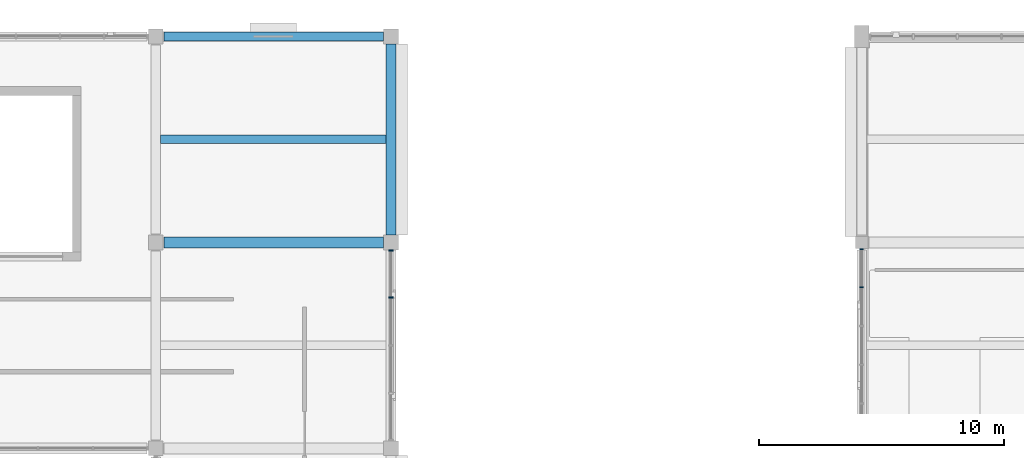
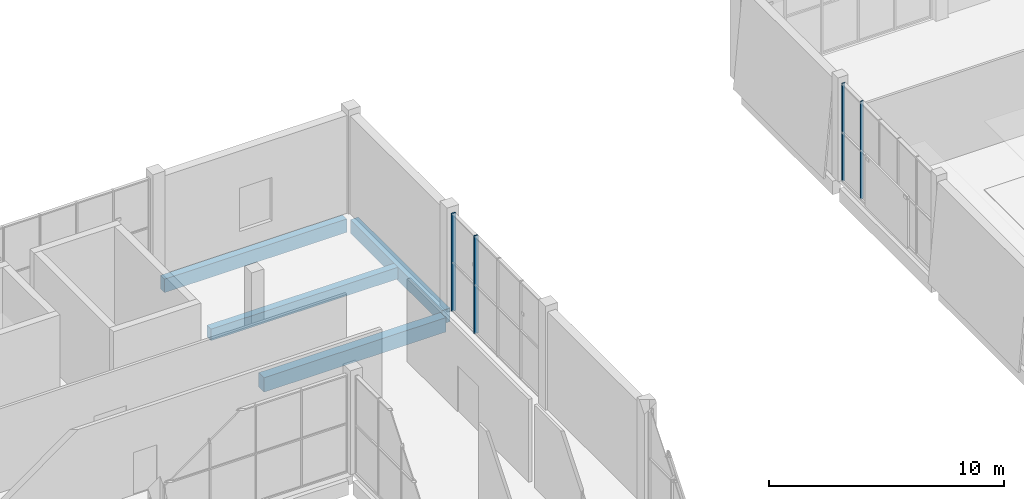
# One storey, part 29 of 83: 4 beams, 4 members, 2 elements without a shape of their own.
"""IFC4 building model written with IfcOpenShell, lengths in metres."""

from ifc_helpers import new_model, si_unit, direction, frame, origin, origin_2d, place, context, subcontext, project, spatial, rectangle, extrude, material, material_profile, profile_set, type_object, element, aggregate, save


model = new_model("IFC4")

# Units and contexts
model_context = context("Model", 3, precision=1e-05, world=origin(), true_north=direction((0.0, 1.0)))
body_context = subcontext(model_context, "Body", "Model", "MODEL_VIEW")
ifc_project = project(units=[si_unit("LENGTHUNIT", "METRE"), si_unit("AREAUNIT", "SQUARE_METRE"), si_unit("VOLUMEUNIT", "CUBIC_METRE"), si_unit("PLANEANGLEUNIT", "RADIAN"), si_unit("MASSUNIT", "GRAM", prefix="KILO")], contexts=[model_context])

# Site, building, storey
site_placement = place(None, origin())
site = spatial("IfcSite", under=ifc_project, at=site_placement, CompositionType="ELEMENT")
building_placement = place(site_placement, origin())
building = spatial("IfcBuilding", under=site, at=building_placement, Name="Shalvenor Court Art Gallery", CompositionType="ELEMENT")
storey_placement = place(building_placement, frame((0.0, 0.0, 6.0)))
storey = spatial("IfcBuildingStorey", under=building, at=storey_placement, Name="L01", CompositionType="ELEMENT", Elevation=6.0)

# Beams
ifc_material_1 = material(Name="Concrete C40/50", Category="concrete")
ifc_material_profile_1 = material_profile(ifc_material_1, rectangle(XDim=0.449951171875, YDim=0.75, at=origin_2d()), Name="RC 450x750")
ifc_profile_set_1 = profile_set([ifc_material_profile_1], Name="Concrete C40/50")
beam_type_1 = type_object("IfcBeamType", Name="B-04", PredefinedType="BEAM", material=ifc_profile_set_1)
beam_1_placement = place(storey_placement, frame((29.14990234375, 114.0, -0.695068359375), z_axis=(1.0, 0.0, 0.0), x_axis=(0.0, 1.0, 0.0)))
element("IfcBeam", 1, at=beam_1_placement, inside=storey, type_object=beam_type_1, Name="L01 Girder BM-L01-B-04-0605", PredefinedType="BEAM", context=body_context, shape_type="SweptSolid", body=[
    extrude(rectangle(XDim=0.449951171875, YDim=0.75, at=origin_2d()), origin(), (0.0, 0.0, 1.0), 8.9501953125),
])
ifc_material_2 = material(Name="Concrete C40/50", Category="concrete")
ifc_material_profile_2 = material_profile(ifc_material_2, rectangle(XDim=0.39990234375, YDim=0.699951171875, at=origin_2d()), Name="RC 400x700")
ifc_profile_set_2 = profile_set([ifc_material_profile_2], Name="Concrete C40/50")
beam_type_2 = type_object("IfcBeamType", Name="B-05", PredefinedType="BEAM", material=ifc_profile_set_2)
beam_2_placement = place(storey_placement, frame((38.39990234375, 114.300048828125, -0.669921875), z_axis=(0.0, 1.0, 0.0), x_axis=(-1.0, 0.0, 0.0)))
element("IfcBeam", 2, at=beam_2_placement, inside=storey, type_object=beam_type_2, Name="L01 Girder BM-L01-B-05-0396", PredefinedType="BEAM", context=body_context, shape_type="SweptSolid", body=[
    extrude(rectangle(XDim=0.39990234375, YDim=0.699951171875, at=origin_2d()), origin(), (0.0, 0.0, 1.0), 7.800048828125),
])

# Curtain wall, members
ifc_material_3 = material(Name="Anodised aluminium and low-iron glass curtain wall", Category="aluminium")
curtain_wall_type_1 = type_object("IfcCurtainWallType", Name="CW-4x2-78-51-221", PredefinedType="USERDEFINED", material=ifc_material_3)
curtain_wall_1_placement = place(storey_placement, origin())
curtain_wall_1 = element("IfcCurtainWall", 3, at=curtain_wall_1_placement, inside=storey, type_object=curtain_wall_type_1, Name="L01 V5 Curtain Wall CW-L01-169", ObjectType="CURTAIN WALL", PredefinedType="USERDEFINED")
ifc_material_4 = material(Name="Anodised aluminium mullion", Category="aluminium")
ifc_material_profile_3 = material_profile(ifc_material_4, rectangle(XDim=0.070068359375, YDim=0.199951171875, at=origin_2d()), Name="CWM-02")
ifc_profile_set_3 = profile_set([ifc_material_profile_3], Name="Anodised aluminium mullion")
member_type_1 = type_object("IfcMemberType", Name="CWM-02", PredefinedType="MULLION", material=ifc_profile_set_3)
member_1_placement = place(storey_placement, frame((38.39990234375, 113.6650390625, 0.0), z_axis=(0.0, 0.0, 1.0), x_axis=(0.0, -1.0, 0.0)))
member_1 = element("IfcMember", 4, at=member_1_placement, type_object=member_type_1, Name="CW-4x2-78-51-221 mullion 1", PredefinedType="MULLION", context=body_context, shape_type="SweptSolid", body=[
    extrude(rectangle(XDim=0.070068359375, YDim=0.199951171875, at=origin_2d()), origin(), (0.0, 0.0, 1.0), 5.080078125),
])
member_2_placement = place(storey_placement, frame((38.39990234375, 111.75, 0.0), z_axis=(0.0, 0.0, 1.0), x_axis=(0.0, -1.0, 0.0)))
member_2 = element("IfcMember", 5, at=member_2_placement, type_object=member_type_1, Name="CW-4x2-78-51-221 mullion 2", PredefinedType="MULLION", context=body_context, shape_type="SweptSolid", body=[
    extrude(rectangle(XDim=0.070068359375, YDim=0.199951171875, at=origin_2d()), origin(), (0.0, 0.0, 1.0), 5.080078125),
])
aggregate(curtain_wall_1, [member_1, member_2])

ifc_material_5 = material(Name="Anodised aluminium and low-iron glass curtain wall", Category="aluminium")
curtain_wall_type_2 = type_object("IfcCurtainWallType", Name="CW-5x2-79-51-642", PredefinedType="USERDEFINED", material=ifc_material_5)
curtain_wall_2_placement = place(storey_placement, origin())
curtain_wall_2 = element("IfcCurtainWall", 6, at=curtain_wall_2_placement, inside=storey, type_object=curtain_wall_type_2, Name="L01 V2 Curtain Wall CW-L01-071", ObjectType="CURTAIN WALL", PredefinedType="USERDEFINED")
ifc_material_6 = material(Name="Anodised aluminium mullion", Category="aluminium")
ifc_material_profile_4 = material_profile(ifc_material_6, rectangle(XDim=0.054931640625, YDim=0.139892578125, at=origin_2d()), Name="CWM-06")
ifc_profile_set_4 = profile_set([ifc_material_profile_4], Name="Anodised aluminium mullion")
member_type_2 = type_object("IfcMemberType", Name="CWM-06", PredefinedType="MULLION", material=ifc_profile_set_4)
member_3_placement = place(storey_placement, frame((57.60009765625, 112.169921875, 0.0), z_axis=(0.0, 0.0, 1.0), x_axis=(0.0, 1.0, 0.0)))
member_3 = element("IfcMember", 7, at=member_3_placement, type_object=member_type_2, Name="CW-5x2-79-51-642 mullion 5", PredefinedType="MULLION", context=body_context, shape_type="SweptSolid", body=[
    extrude(rectangle(XDim=0.054931640625, YDim=0.139892578125, at=origin_2d()), origin(), (0.0, 0.0, 1.0), 5.080078125),
])
member_4_placement = place(storey_placement, frame((57.60009765625, 113.722412109375, 0.0), z_axis=(0.0, 0.0, 1.0), x_axis=(0.0, 1.0, 0.0)))
member_4 = element("IfcMember", 8, at=member_4_placement, type_object=member_type_2, Name="CW-5x2-79-51-642 mullion 6", PredefinedType="MULLION", context=body_context, shape_type="SweptSolid", body=[
    extrude(rectangle(XDim=0.054931640625, YDim=0.139892578125, at=origin_2d()), origin(), (0.0, 0.0, 1.0), 5.080078125),
])
aggregate(curtain_wall_2, [member_3, member_4])

# Beams
ifc_material_7 = material(Name="Concrete C40/50", Category="concrete")
ifc_material_profile_5 = material_profile(ifc_material_7, rectangle(XDim=0.35009765625, YDim=0.60009765625, at=origin_2d()), Name="RC 350x600")
ifc_profile_set_5 = profile_set([ifc_material_profile_5], Name="Concrete C40/50")
beam_type_3 = type_object("IfcBeamType", Name="J-01", PredefinedType="JOIST", material=ifc_profile_set_5)
beam_3_placement = place(storey_placement, frame((29.0, 118.199951171875, -0.6201171875), z_axis=(1.0, 0.0, 0.0), x_axis=(0.0, 1.0, 0.0)))
element("IfcBeam", 9, at=beam_3_placement, inside=storey, type_object=beam_type_3, Name="L01 Secondary Beam JST-L01-J-01-0641", PredefinedType="JOIST", context=body_context, shape_type="SweptSolid", body=[
    extrude(rectangle(XDim=0.35009765625, YDim=0.60009765625, at=origin_2d()), origin(), (0.0, 0.0, 1.0), 9.199951171875),
])
ifc_material_8 = material(Name="Concrete C40/50", Category="concrete")
ifc_material_profile_6 = material_profile(ifc_material_8, rectangle(XDim=0.35009765625, YDim=0.699951171875, at=origin_2d()), Name="RC 350x700")
ifc_profile_set_6 = profile_set([ifc_material_profile_6], Name="Concrete C40/50")
beam_type_4 = type_object("IfcBeamType", Name="SP-01", PredefinedType="SPANDREL", material=ifc_profile_set_6)
beam_4_placement = place(storey_placement, frame((29.14990234375, 122.39990234375, -0.669921875), z_axis=(1.0, 0.0, 0.0), x_axis=(0.0, 1.0, 0.0)))
element("IfcBeam", 10, at=beam_4_placement, inside=storey, type_object=beam_type_4, Name="L01 Spandrel Girder BM-L01-SP-01-0616", PredefinedType="SPANDREL", context=body_context, shape_type="SweptSolid", body=[
    extrude(rectangle(XDim=0.35009765625, YDim=0.699951171875, at=origin_2d()), origin(), (0.0, 0.0, 1.0), 8.9501953125),
])

save(model, "model.ifc")
